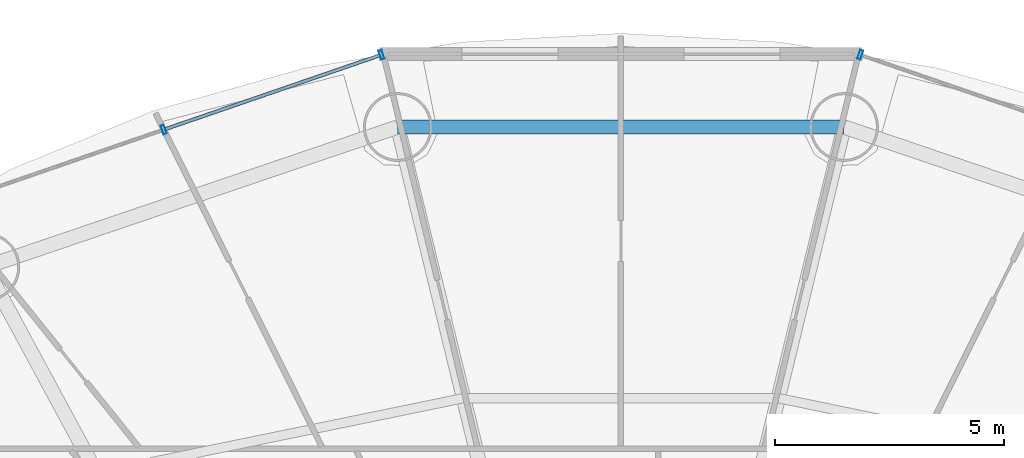
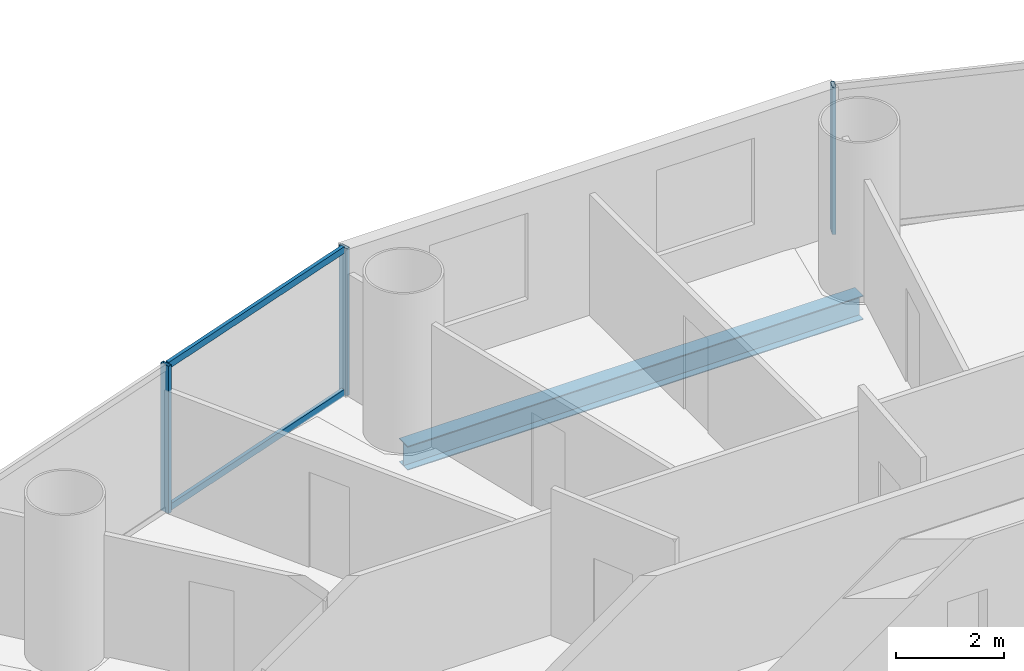
# One storey, part 18 of 29: 5 members, 1 beam, 2 elements without a shape of their own.
"""IFC4 building model written with IfcOpenShell, lengths in metres."""

from ifc_helpers import new_model, si_unit, direction, frame, origin, origin_2d, place, context, subcontext, project, spatial, hollow_rectangle, i_section, extrude, source, transform, mapped, material, material_profile, profile_set, type_object, element, aggregate, save


model = new_model("IFC4")

# Units and contexts
model_context = context("Model", 3, precision=1e-05, world=origin(), true_north=direction((-0.2419218956, 0.970295726276)))
body_context = subcontext(model_context, "Body", "Model", "MODEL_VIEW")
ifc_project = project(units=[si_unit("LENGTHUNIT", "METRE"), si_unit("AREAUNIT", "SQUARE_METRE"), si_unit("VOLUMEUNIT", "CUBIC_METRE"), si_unit("PLANEANGLEUNIT", "RADIAN"), si_unit("MASSUNIT", "GRAM", prefix="KILO")], contexts=[model_context])

# Site, building, storey
site_placement = place(None, origin())
site = spatial("IfcSite", under=ifc_project, at=site_placement, CompositionType="ELEMENT")
building_placement = place(site_placement, origin())
building = spatial("IfcBuilding", under=site, at=building_placement, Name="Cobrevalo Terracotta Tower", CompositionType="ELEMENT")
storey_placement = place(building_placement, frame((0.0, 0.0, 94.199951171875)))
storey = spatial("IfcBuildingStorey", under=building, at=storey_placement, Name="L24", CompositionType="ELEMENT", Elevation=94.199951171875)

# Beam
ifc_material_1 = material(Name="Steel S355", Category="steel")
ifc_material_profile_1 = material_profile(ifc_material_1, i_section(OverallWidth=0.31201171875, OverallDepth=0.54296875, WebThickness=0.0126953125, FlangeThickness=0.020263671875, at=origin_2d()), Name="W 530x150")
ifc_profile_set_1 = profile_set([ifc_material_profile_1], Name="Steel S355")
beam_type = type_object("IfcBeamType", Name="Structural Spandrel W 530x150 (Steel S355)", PredefinedType="SPANDREL", material=ifc_profile_set_1)
beam_placement = place(storey_placement, frame((42.867431640625, 46.857177734375, -0.54638671875), z_axis=(-1.0, 0.0, 0.0), x_axis=(0.0, -1.0, 0.0)))
element("IfcBeam", 1, at=beam_placement, inside=storey, type_object=beam_type, Name="L24 perimeter ring spandrel 04", PredefinedType="SPANDREL", context=body_context, shape_type="SweptSolid", body=[
    extrude(i_section(OverallWidth=0.31201171875, OverallDepth=0.54296875, WebThickness=0.0126953125, FlangeThickness=0.020263671875, at=origin_2d()), origin(), (0.0, 0.0, 1.0), 9.73486328125),
])

# Curtain wall, member
ifc_material_2 = material(Name="Anodized aluminium", Category="aluminium")
curtain_wall_type = type_object("IfcCurtainWallType", Name="Lower-tower unitised acoustic low-E curtain wall CW-U1", PredefinedType="NOTDEFINED", material=ifc_material_2)
curtain_wall_1_placement = place(storey_placement, origin())
curtain_wall_1 = element("IfcCurtainWall", 2, at=curtain_wall_1_placement, inside=storey, type_object=curtain_wall_type, Name="L24 curtain wall CW-L24-S03", PredefinedType="NOTDEFINED")
ifc_material_profile_2 = material_profile(ifc_material_2, hollow_rectangle(XDim=0.074951171875, YDim=0.199951171875, WallThickness=0.0048828125, at=origin_2d()), Name="CWM 75x200")
ifc_profile_set_2 = profile_set([ifc_material_profile_2], Name="Anodized aluminium")
member_type_1 = type_object("IfcMemberType", Name="Lower/mid tower unitised mullion 75x200", PredefinedType="MULLION", material=ifc_profile_set_2)
shared_shape_1 = source(origin(), body_context, "Body", "SweptSolid", [
    extrude(hollow_rectangle(XDim=0.074951171875, YDim=0.199951171875, WallThickness=0.0048828125, at=origin_2d()), origin(), (0.0, 0.0, 1.0), 3.324951171875),
])
member_1_placement = place(storey_placement, frame((43.221435546875, 48.432861328125, 0.0), z_axis=(0.0, 0.0, 1.0), x_axis=(-0.94559809868, 0.325337110968, 0.0)))
member_1 = element("IfcMember", 3, at=member_1_placement, type_object=member_type_1, Name="CW-L24-S03 vertical mullion 03", PredefinedType="MULLION", context=body_context, shape_type="MappedRepresentation", body=[
    mapped(shared_shape_1, transform((0.0, 0.0, 0.0), scale=1.0)),
])
aggregate(curtain_wall_1, [member_1])

# Curtain wall, members
curtain_wall_2_placement = place(storey_placement, origin())
curtain_wall_2 = element("IfcCurtainWall", 4, at=curtain_wall_2_placement, inside=storey, type_object=curtain_wall_type, Name="L24 curtain wall CW-L24-S05", PredefinedType="NOTDEFINED")
member_2_placement = place(storey_placement, frame((32.778564453125, 48.432861328125, 0.0), z_axis=(0.0, 0.0, 1.0), x_axis=(-0.94559809868, -0.325337110968, 0.0)))
member_2 = element("IfcMember", 5, at=member_2_placement, type_object=member_type_1, Name="CW-L24-S05 vertical mullion 01", PredefinedType="MULLION", context=body_context, shape_type="MappedRepresentation", body=[
    mapped(shared_shape_1, transform((0.0, 0.0, 0.0), scale=1.0)),
])
member_3_placement = place(storey_placement, frame((28.027587890625, 46.79833984375, 0.0), z_axis=(0.0, 0.0, 1.0), x_axis=(-0.94559809868, -0.325337110968, 0.0)))
member_3 = element("IfcMember", 6, at=member_3_placement, type_object=member_type_1, Name="CW-L24-S05 vertical mullion 02", PredefinedType="MULLION", context=body_context, shape_type="MappedRepresentation", body=[
    mapped(shared_shape_1, transform((0.0, 0.0, 0.0), scale=1.0)),
])
ifc_material_profile_3 = material_profile(ifc_material_2, hollow_rectangle(XDim=0.074951171875, YDim=0.14990234375, WallThickness=0.00439453125, at=origin_2d()), Name="CWT 75x150")
ifc_profile_set_3 = profile_set([ifc_material_profile_3], Name="Anodized aluminium")
member_type_2 = type_object("IfcMemberType", Name="Tower unitised aluminium transom 75x150", PredefinedType="USERDEFINED", material=ifc_profile_set_3)
shared_shape_2 = source(origin(), body_context, "Body", "SweptSolid", [
    extrude(hollow_rectangle(XDim=0.074951171875, YDim=0.14990234375, WallThickness=0.00439453125, at=origin_2d()), origin(), (0.0, 0.0, 1.0), 4.944580078125),
])
member_4_placement = place(storey_placement, frame((32.74072265625, 48.419921875, 0.050048828125), z_axis=(-0.945597859971, -0.32533780478, 0.0), x_axis=(0.32533780478, -0.945597859971, 0.0)))
member_4 = element("IfcMember", 7, at=member_4_placement, type_object=member_type_2, Name="CW-L24-S05 transom B01-T1", ObjectType="TRANSOM", PredefinedType="USERDEFINED", context=body_context, shape_type="MappedRepresentation", body=[
    mapped(shared_shape_2, transform((0.0, 0.0, 0.0), scale=1.0)),
])
member_5_placement = place(storey_placement, frame((32.74072265625, 48.419921875, 3.275146484375), z_axis=(-0.945597859971, -0.32533780478, 0.0), x_axis=(0.32533780478, -0.945597859971, 0.0)))
member_5 = element("IfcMember", 8, at=member_5_placement, type_object=member_type_2, Name="CW-L24-S05 transom B01-T2", ObjectType="TRANSOM", PredefinedType="USERDEFINED", context=body_context, shape_type="MappedRepresentation", body=[
    mapped(shared_shape_2, transform((0.0, 0.0, 0.0), scale=1.0)),
])
aggregate(curtain_wall_2, [member_2, member_3, member_4, member_5])

save(model, "model.ifc")
